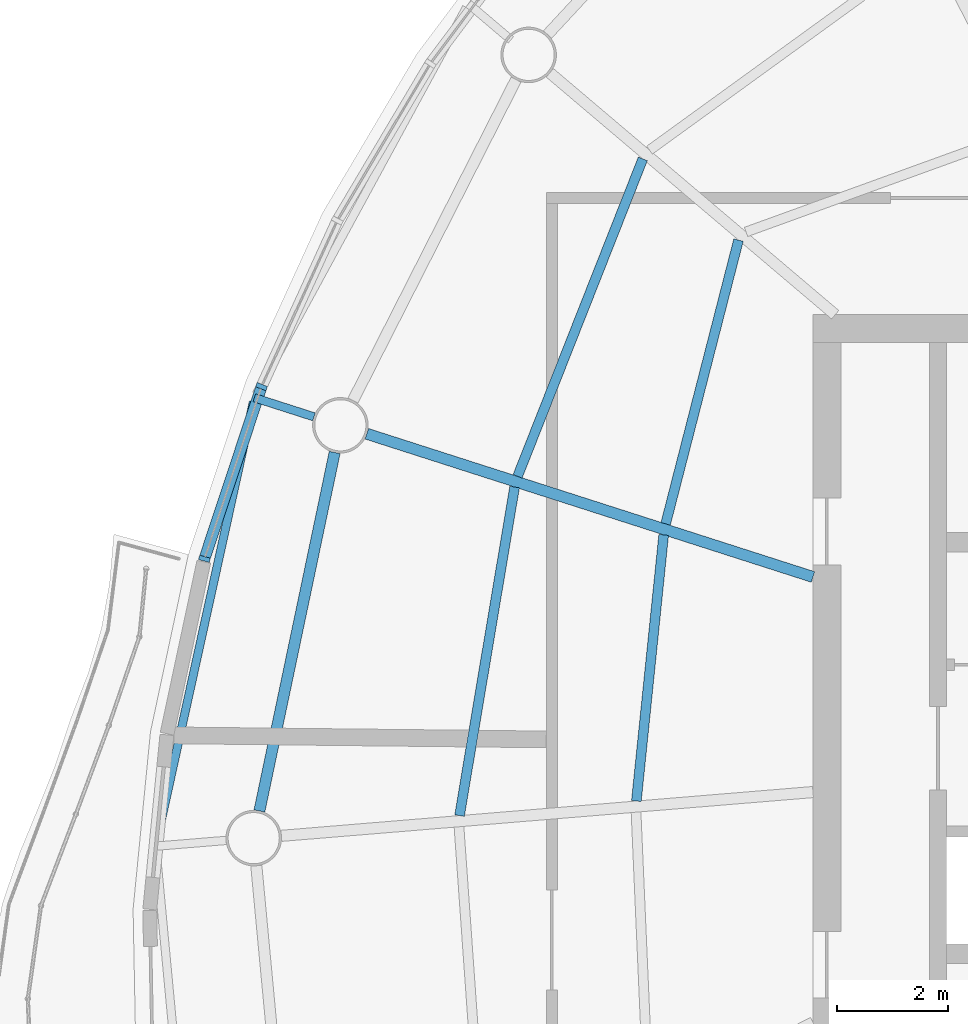
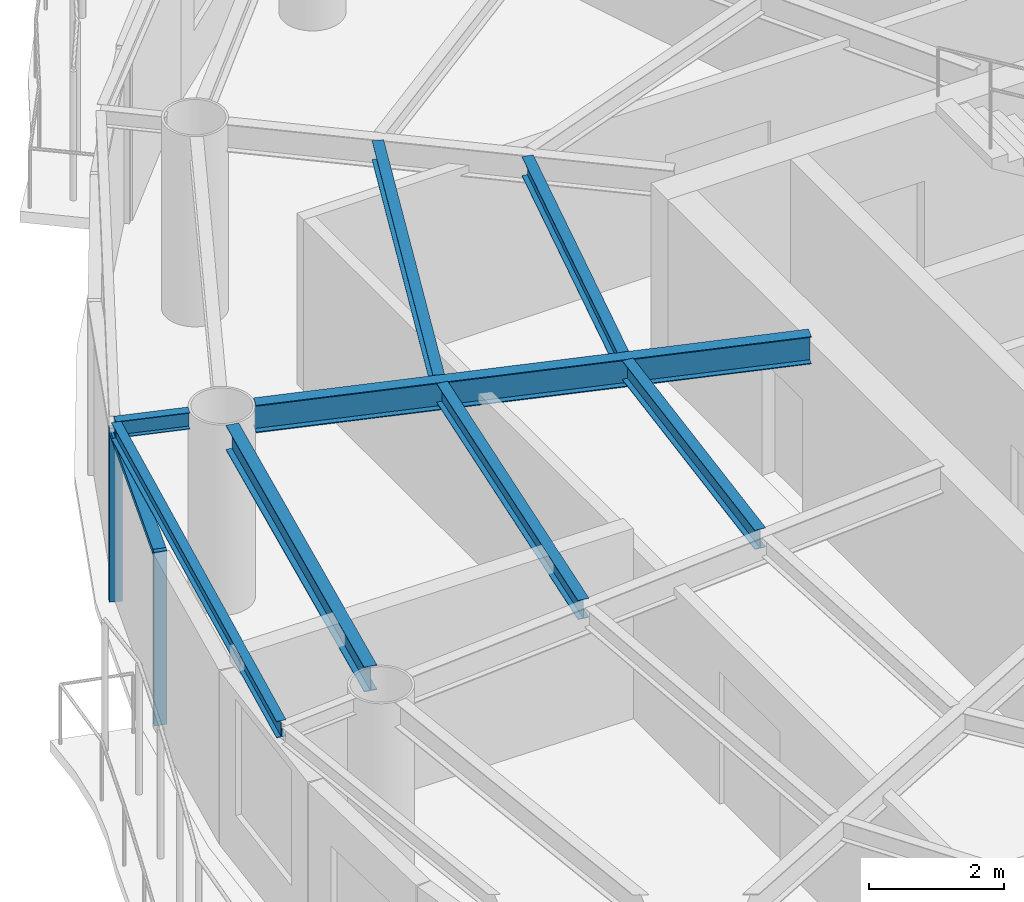
# One storey, part 3 of 13: 8 beams, 3 members, 1 element without a shape of its own.
"""IFC4 building model written with IfcOpenShell, lengths in metres."""

from ifc_helpers import new_model, si_unit, direction, frame, origin, origin_2d, place, context, subcontext, project, spatial, rectangle, i_section, extrude, material, material_profile, profile_set, type_object, element, aggregate, save


model = new_model("IFC4")

# Units and contexts
model_context = context("Model", 3, precision=1e-05, world=origin(), true_north=direction((0.0, 1.0)))
body_context = subcontext(model_context, "Body", "Model", "MODEL_VIEW")
ifc_project = project(units=[si_unit("LENGTHUNIT", "METRE"), si_unit("AREAUNIT", "SQUARE_METRE"), si_unit("VOLUMEUNIT", "CUBIC_METRE"), si_unit("PLANEANGLEUNIT", "RADIAN"), si_unit("MASSUNIT", "GRAM", prefix="KILO")], contexts=[model_context])

# Site, building, storey
site_placement = place(None, origin())
site = spatial("IfcSite", under=ifc_project, at=site_placement, CompositionType="ELEMENT")
building_placement = place(site_placement, origin())
building = spatial("IfcBuilding", under=site, at=building_placement, Name="Vermilion Reach Broadcast Tower", CompositionType="ELEMENT")
storey_placement = place(building_placement, frame((0.0, 0.0, 282.89990234375)))
storey = spatial("IfcBuildingStorey", under=building, at=storey_placement, Name="L70", CompositionType="ELEMENT", Elevation=282.89990234375)

# Beams
ifc_material_1 = material(Name="Steel S355J2", Category="steel")
ifc_material_profile_1 = material_profile(ifc_material_1, i_section(OverallWidth=0.14990234375, OverallDepth=0.300048828125, WebThickness=0.006591796875, FlangeThickness=0.009033203125, at=origin_2d()), Name="S355J2 HN 300x150x6.5x9")
ifc_profile_set_1 = profile_set([ifc_material_profile_1], Name="Steel S355J2")
beam_type_1 = type_object("IfcBeamType", Name="EB5 HN 300x150x6.5x9", PredefinedType="BEAM", material=ifc_profile_set_1)
beam_1_placement = place(storey_placement, frame((-25.67138671875, 6.233154296875, 3.300048828125), z_axis=(-0.214976608062, -0.976619198043, 0.0), x_axis=(0.976619198043, -0.214976608062, 0.0)))
element("IfcBeam", 1, at=beam_1_placement, inside=storey, type_object=beam_type_1, Name="Edge beam EB5-05", PredefinedType="BEAM", context=body_context, shape_type="SweptSolid", body=[
    extrude(i_section(OverallWidth=0.14990234375, OverallDepth=0.300048828125, WebThickness=0.006591796875, FlangeThickness=0.009033203125, at=origin_2d()), origin(), (0.0, 0.0, 1.0), 8.112060546875),
])
ifc_material_2 = material(Name="Steel S355J2", Category="steel")
ifc_material_profile_2 = material_profile(ifc_material_2, i_section(OverallWidth=0.199951171875, OverallDepth=0.5, WebThickness=0.010009765625, FlangeThickness=0.01611328125, at=origin_2d()), Name="S355J2 HN 500x200x10x16")
ifc_profile_set_2 = profile_set([ifc_material_profile_2], Name="Steel S355J2")
beam_type_2 = type_object("IfcBeamType", Name="G5 HN 500x200x10x16", PredefinedType="BEAM", material=ifc_profile_set_2)
beam_2_placement = place(storey_placement, frame((-15.60009765625, 3.080322265625, 3.2001953125), z_axis=(-0.952178453449, 0.305542456604, 0.0), x_axis=(-0.305542456604, -0.952178453449, 0.0)))
element("IfcBeam", 2, at=beam_2_placement, inside=storey, type_object=beam_type_2, Name="Girder G5-05", PredefinedType="BEAM", context=body_context, shape_type="SweptSolid", body=[
    extrude(i_section(OverallWidth=0.199951171875, OverallDepth=0.5, WebThickness=0.010009765625, FlangeThickness=0.01611328125, at=origin_2d()), origin(), (0.0, 0.0, 1.0), 8.43310546875),
])
ifc_material_3 = material(Name="Steel S355J2", Category="steel")
ifc_material_profile_3 = material_profile(ifc_material_3, i_section(OverallWidth=0.14990234375, OverallDepth=0.300048828125, WebThickness=0.006591796875, FlangeThickness=0.009033203125, at=origin_2d()), Name="S355J2 HN 300x150x6.5x9")
ifc_profile_set_3 = profile_set([ifc_material_profile_3], Name="Steel S355J2")
beam_type_3 = type_object("IfcBeamType", Name="GS5 HN 300x150x6.5x9", PredefinedType="BEAM", material=ifc_profile_set_3)
beam_3_placement = place(storey_placement, frame((-24.58203125, 5.96240234375, 3.300048828125), z_axis=(-0.952134445132, 0.305679568164, 0.0), x_axis=(-0.305679568164, -0.952134445132, 0.0)))
element("IfcBeam", 3, at=beam_3_placement, inside=storey, type_object=beam_type_3, Name="Cantilever stub GS5-05", PredefinedType="BEAM", context=body_context, shape_type="SweptSolid", body=[
    extrude(i_section(OverallWidth=0.14990234375, OverallDepth=0.300048828125, WebThickness=0.006591796875, FlangeThickness=0.009033203125, at=origin_2d()), origin(), (0.0, 0.0, 1.0), 1.126953125),
])
ifc_material_4 = material(Name="Steel S355J2", Category="steel")
ifc_material_profile_4 = material_profile(ifc_material_4, i_section(OverallWidth=0.199951171875, OverallDepth=0.449951171875, WebThickness=0.009033203125, FlangeThickness=0.013916015625, at=origin_2d()), Name="S355J2 HN 450x200x9x14")
ifc_profile_set_4 = profile_set([ifc_material_profile_4], Name="Steel S355J2")
beam_type_4 = type_object("IfcBeamType", Name="RB5 HN 450x200x9x14", PredefinedType="BEAM", material=ifc_profile_set_4)
beam_4_placement = place(storey_placement, frame((-24.208740234375, 5.3203125, 3.22509765625), z_axis=(-0.205444869285, -0.978668690459, 0.0), x_axis=(0.978668690459, -0.205444869285, 0.0)))
element("IfcBeam", 4, at=beam_4_placement, inside=storey, type_object=beam_type_4, Name="Ring beam RB5-05", PredefinedType="BEAM", context=body_context, shape_type="SweptSolid", body=[
    extrude(i_section(OverallWidth=0.199951171875, OverallDepth=0.449951171875, WebThickness=0.009033203125, FlangeThickness=0.013916015625, at=origin_2d()), origin(), (0.0, 0.0, 1.0), 6.591796875),
])
ifc_material_5 = material(Name="Steel S355J2", Category="steel")
ifc_material_profile_5 = material_profile(ifc_material_5, i_section(OverallWidth=0.175048828125, OverallDepth=0.35009765625, WebThickness=0.007080078125, FlangeThickness=0.010986328125, at=origin_2d()), Name="S355J2 HN 350x175x7x11")
ifc_profile_set_5 = profile_set([ifc_material_profile_5], Name="Steel S355J2")
beam_type_5 = type_object("IfcBeamType", Name="SB5 HN 350x175x7x11", PredefinedType="BEAM", material=ifc_profile_set_5)
beam_5_placement = place(storey_placement, frame((-16.940185546875, 9.1435546875, 3.275146484375), z_axis=(-0.248729575729, -0.968572969971, 0.0), x_axis=(0.968572969971, -0.248729575729, 0.0)))
element("IfcBeam", 5, at=beam_5_placement, inside=storey, type_object=beam_type_5, Name="Secondary beam SB5-04-1", PredefinedType="BEAM", context=body_context, shape_type="SweptSolid", body=[
    extrude(i_section(OverallWidth=0.175048828125, OverallDepth=0.35009765625, WebThickness=0.007080078125, FlangeThickness=0.010986328125, at=origin_2d()), origin(), (0.0, 0.0, 1.0), 5.27294921875),
])
beam_6_placement = place(storey_placement, frame((-18.6630859375, 10.604248046875, 3.275146484375), z_axis=(-0.366931189603, -0.930248086317, 0.0), x_axis=(0.930248086317, -0.366931189603, 0.0)))
element("IfcBeam", 6, at=beam_6_placement, inside=storey, type_object=beam_type_5, Name="Secondary beam SB5-04-2", PredefinedType="BEAM", context=body_context, shape_type="SweptSolid", body=[
    extrude(i_section(OverallWidth=0.175048828125, OverallDepth=0.35009765625, WebThickness=0.007080078125, FlangeThickness=0.010986328125, at=origin_2d()), origin(), (0.0, 0.0, 1.0), 6.141357421875),
])
beam_7_placement = place(storey_placement, frame((-18.287109375, 3.837646484375, 3.275146484375), z_axis=(-0.102113775264, -0.994772726255, 0.0), x_axis=(0.994772726255, -0.102113775264, 0.0)))
element("IfcBeam", 7, at=beam_7_placement, inside=storey, type_object=beam_type_5, Name="Secondary beam SB5-05-1", PredefinedType="BEAM", context=body_context, shape_type="SweptSolid", body=[
    extrude(i_section(OverallWidth=0.175048828125, OverallDepth=0.35009765625, WebThickness=0.007080078125, FlangeThickness=0.010986328125, at=origin_2d()), origin(), (0.0, 0.0, 1.0), 4.815185546875),
])
beam_8_placement = place(storey_placement, frame((-20.969970703125, 4.698486328125, 3.275146484375), z_axis=(-0.16532337011, -0.986239414795, 0.0), x_axis=(0.986239414795, -0.16532337011, 0.0)))
element("IfcBeam", 8, at=beam_8_placement, inside=storey, type_object=beam_type_5, Name="Secondary beam SB5-05-2", PredefinedType="BEAM", context=body_context, shape_type="SweptSolid", body=[
    extrude(i_section(OverallWidth=0.175048828125, OverallDepth=0.35009765625, WebThickness=0.007080078125, FlangeThickness=0.010986328125, at=origin_2d()), origin(), (0.0, 0.0, 1.0), 5.99560546875),
])

# Curtain wall, members
ifc_material_6 = material(Name="Low-e laminated clear glass in aluminium frame", Category="aluminium")
curtain_wall_type = type_object("IfcCurtainWallType", Name="Slot curtain wall", PredefinedType="NOTDEFINED", material=ifc_material_6)
curtain_wall_placement = place(storey_placement, origin())
curtain_wall = element("IfcCurtainWall", 9, at=curtain_wall_placement, inside=storey, type_object=curtain_wall_type, Name="Slot curtain wall L70 13", PredefinedType="NOTDEFINED")
ifc_material_7 = material(Name="Anodised aluminium", Category="aluminium")
ifc_material_profile_6 = material_profile(ifc_material_7, rectangle(XDim=0.199951171875, YDim=0.080078125, at=origin_2d()), Name="Slot mullion 80 x 200")
ifc_profile_set_6 = profile_set([ifc_material_profile_6], Name="Anodised aluminium")
member_type_1 = type_object("IfcMemberType", Name="Slot mullion 80 x 200", PredefinedType="MULLION", material=ifc_profile_set_6)
member_1_placement = place(storey_placement, frame((-25.525146484375, 6.50634765625, 0.0), z_axis=(0.0, 0.0, 1.0), x_axis=(0.930838620276, -0.365430517338, 0.0)))
member_1 = element("IfcMember", 10, at=member_1_placement, type_object=member_type_1, Name="Slot mullion L70 13", PredefinedType="MULLION", context=body_context, shape_type="SweptSolid", body=[
    extrude(rectangle(XDim=0.199951171875, YDim=0.080078125, at=origin_2d()), origin(), (0.0, 0.0, 1.0), 3.150146484375),
])
member_2_placement = place(storey_placement, frame((-26.552978515625, 3.406494140625, 0.0), z_axis=(0.0, 0.0, 1.0), x_axis=(0.965021001845, -0.262172588191, 0.0)))
member_2 = element("IfcMember", 11, at=member_2_placement, type_object=member_type_1, Name="Slot mullion L70 14", PredefinedType="MULLION", context=body_context, shape_type="SweptSolid", body=[
    extrude(rectangle(XDim=0.199951171875, YDim=0.080078125, at=origin_2d()), origin(), (0.0, 0.0, 1.0), 3.150146484375),
])
ifc_material_8 = material(Name="Anodised aluminium", Category="aluminium")
ifc_material_profile_7 = material_profile(ifc_material_8, rectangle(XDim=0.199951171875, YDim=0.10009765625, at=origin_2d()), Name="Slot transom 200 x 100")
ifc_profile_set_7 = profile_set([ifc_material_profile_7], Name="Anodised aluminium")
member_type_2 = type_object("IfcMemberType", Name="Slot transom 200 x 100", PredefinedType="USERDEFINED", material=ifc_profile_set_7)
member_3_placement = place(storey_placement, frame((-25.53759765625, 6.46826171875, 3.10009765625), z_axis=(-0.314733024065, -0.949180237659, 0.0), x_axis=(0.949180237659, -0.314733024065, 0.0)))
member_3 = element("IfcMember", 12, at=member_3_placement, type_object=member_type_2, Name="Slot transom L70 13.1", ObjectType="TRANSOM", PredefinedType="USERDEFINED", context=body_context, shape_type="SweptSolid", body=[
    extrude(rectangle(XDim=0.199951171875, YDim=0.10009765625, at=origin_2d()), origin(), (0.0, 0.0, 1.0), 3.185791015625),
])
aggregate(curtain_wall, [member_1, member_2, member_3])

save(model, "model.ifc")
